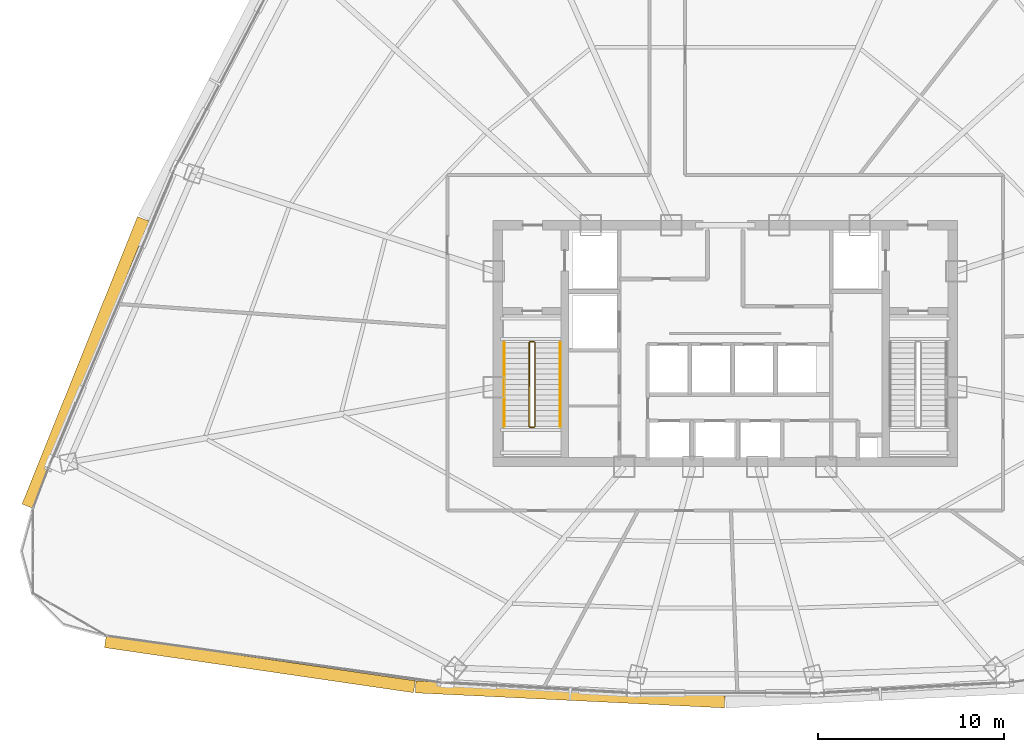
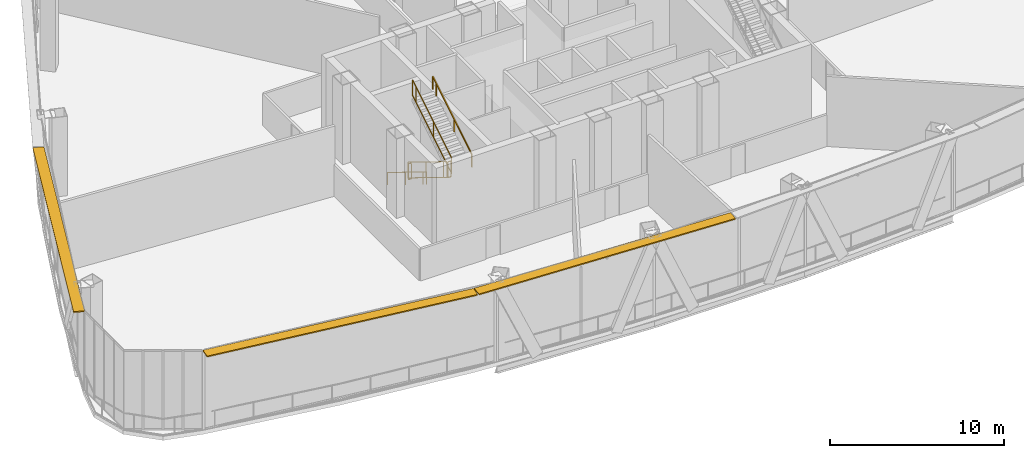
# One storey, part 33 of 38: 6 railings, 3 shading devices.
"""IFC4 building model written with IfcOpenShell, lengths in metres."""

import ifcopenshell
import ifcopenshell.guid

model = None  # the IFC model being written
_history = None  # IfcOwnerHistory: only IFC2X3 demands one
_inside = {}  # id of a spatial element -> (the spatial element, [elements in it])
_under = {}  # id of a project, library or spatial element -> (it, [spatial elements below it])
_declared = {}  # id of a project -> (the project, [libraries it declares])
_typed = {}  # id of a type object -> (the type object, [elements of that type])
_made_of = {}  # id of a material, layer set ... -> (it, [elements and type objects made of it])


def new_model(schema):
    """Start an empty IFC model of exactly this schema.

    Asked for "IFC4X3", IfcOpenShell would pick the latest addendum, in which some entities
    have other attributes; the version numbers below select the first issue.
    IFC2X3 requires an IfcOwnerHistory on every rooted entity: one is made here for all.
    """
    global model, _history
    if schema == "IFC4X3":
        model = ifcopenshell.file(schema_version=(4, 3, 0, 0))
    else:
        model = ifcopenshell.file(schema=schema)
    _inside.clear()
    _under.clear()
    _declared.clear()
    _typed.clear()
    _made_of.clear()
    _history = None
    if model.schema == "IFC2X3":
        org = make("IfcOrganization", Name="unknown")
        user = make(
            "IfcPersonAndOrganization",
            ThePerson=make("IfcPerson", FamilyName="unknown"),
            TheOrganization=org,
        )
        app = make(
            "IfcApplication",
            ApplicationDeveloper=org,
            Version="unknown",
            ApplicationFullName="unknown",
            ApplicationIdentifier="unknown",
        )
        _history = make(
            "IfcOwnerHistory",
            OwningUser=user,
            OwningApplication=app,
            ChangeAction="ADDED",
            CreationDate=0,
        )
    return model


def make(cls, **values):
    """One entity of the class cls with the attributes given. An attribute that is None is left unset."""
    return model.create_entity(
        cls, **{name: value for name, value in values.items() if value is not None}
    )


def rooted(cls, **values):
    """An entity with a GlobalId (a new one), such as an element, a storey or a relation."""
    return make(cls, GlobalId=ifcopenshell.guid.new(), OwnerHistory=_history, **values)


def si_unit(unit_type, name, prefix=None):
    """IfcSIUnit, for example si_unit("LENGTHUNIT", "METRE", prefix="MILLI")."""
    return make("IfcSIUnit", UnitType=unit_type, Prefix=prefix, Name=name)


def assignment(units):
    """IfcUnitAssignment: the units of a project."""
    return None if units is None else make("IfcUnitAssignment", Units=units)


def point(xyz):
    """IfcCartesianPoint."""
    return None if xyz is None else make("IfcCartesianPoint", Coordinates=xyz)


def direction(xyz):
    """IfcDirection."""
    return None if xyz is None else make("IfcDirection", DirectionRatios=xyz)


def frame(location, z_axis=None, x_axis=None):
    """IfcAxis2Placement3D, a coordinate frame: its origin and axes. An axis left out is left unset."""
    return make(
        "IfcAxis2Placement3D",
        Location=point(location),
        Axis=direction(z_axis),
        RefDirection=direction(x_axis),
    )


def frame_2d(location, x_axis=None):
    """IfcAxis2Placement2D, a coordinate frame in the plane: its origin and x axis."""
    return make(
        "IfcAxis2Placement2D", Location=point(location), RefDirection=direction(x_axis)
    )


def origin():
    """The frame at (0, 0, 0) with its axes left unset."""
    return frame((0.0, 0.0, 0.0))


def origin_2d():
    """The frame at (0, 0) in the plane with its x axis left unset."""
    return frame_2d((0.0, 0.0))


def place(relative_to, where):
    """IfcLocalPlacement: puts the frame where relative to a parent placement (None: the world)."""
    return make(
        "IfcLocalPlacement", PlacementRelTo=relative_to, RelativePlacement=where
    )


def context(
    kind, dimensions, precision=None, world=None, true_north=None, identifier=None
):
    """IfcGeometricRepresentationContext, for example the 3D "Model" context."""
    return make(
        "IfcGeometricRepresentationContext",
        ContextIdentifier=identifier,
        ContextType=kind,
        CoordinateSpaceDimension=dimensions,
        Precision=precision,
        WorldCoordinateSystem=world,
        TrueNorth=true_north,
    )


def subcontext(parent, identifier, kind, view, scale=None):
    """IfcGeometricRepresentationSubContext, for example "Body" below "Model"."""
    return make(
        "IfcGeometricRepresentationSubContext",
        ContextIdentifier=identifier,
        ContextType=kind,
        ParentContext=parent,
        TargetScale=scale,
        TargetView=view,
    )


def project(units=None, contexts=None):
    """IfcProject with its units and contexts."""
    return rooted(
        "IfcProject",
        Name="project",
        RepresentationContexts=contexts,
        UnitsInContext=assignment(units),
    )


def spatial(cls, under=None, at=None, **own):
    """A site, building, storey or space (cls), placed at a placement, below another one or the project."""
    s = rooted(cls, ObjectPlacement=at, **own)
    if under is not None:
        _under.setdefault(under.id(), (under, []))[1].append(s)
    return s


def profile(cls, at=None, kind="AREA", **sizes):
    """A parametric profile (cls). Its sizes go by their IFC names, for example OverallWidth=200.0."""
    return make(cls, ProfileType=kind, Position=at, **sizes)


def rectangle(**sizes):
    """IfcRectangleProfileDef."""
    return profile("IfcRectangleProfileDef", **sizes)


def extrude(swept, where, along, depth):
    """IfcExtrudedAreaSolid: the profile swept, set in the frame where, extruded along a direction by depth."""
    return make(
        "IfcExtrudedAreaSolid",
        SweptArea=swept,
        Position=where,
        ExtrudedDirection=direction(along),
        Depth=depth,
    )


def shape(context_of_items, identifier, shape_type, items):
    """IfcShapeRepresentation: the items that make up one representation, for example the "Body"."""
    return make(
        "IfcShapeRepresentation",
        ContextOfItems=context_of_items,
        RepresentationIdentifier=identifier,
        RepresentationType=shape_type,
        Items=items,
    )


def source(mapping_origin, context_of_items, identifier, shape_type, items):
    """IfcRepresentationMap: a shape defined once, which mapped items show again and again."""
    return make(
        "IfcRepresentationMap",
        MappingOrigin=mapping_origin,
        MappedRepresentation=shape(context_of_items, identifier, shape_type, items),
    )


def transform(
    local_origin,
    x_axis=None,
    y_axis=None,
    z_axis=None,
    scale=None,
    scale2=None,
    scale3=None,
    uniform=True,
):
    """IfcCartesianTransformationOperator3D, or its non-uniform kind. x_axis, y_axis, z_axis: its Axis1, 2, 3."""
    if uniform:
        return make(
            "IfcCartesianTransformationOperator3D",
            Axis1=direction(x_axis),
            Axis2=direction(y_axis),
            LocalOrigin=point(local_origin),
            Scale=scale,
            Axis3=direction(z_axis),
        )
    return make(
        "IfcCartesianTransformationOperator3DnonUniform",
        Axis1=direction(x_axis),
        Axis2=direction(y_axis),
        LocalOrigin=point(local_origin),
        Scale=scale,
        Axis3=direction(z_axis),
        Scale2=scale2,
        Scale3=scale3,
    )


def mapped(mapping_source, mapping_target):
    """IfcMappedItem: shows the shape of a source again, moved by a transform."""
    return make(
        "IfcMappedItem", MappingSource=mapping_source, MappingTarget=mapping_target
    )


def material(Name=None, Category=None):
    """IfcMaterial."""
    return make("IfcMaterial", Name=Name, Category=Category)


def layer(
    of_material, thickness, ventilated=None, Name=None, Category=None, Priority=None
):
    """IfcMaterialLayer: one layer of a wall or slab, of a material (None: an air gap)."""
    return make(
        "IfcMaterialLayer",
        Material=of_material,
        LayerThickness=thickness,
        IsVentilated=ventilated,
        Name=Name,
        Category=Category,
        Priority=Priority,
    )


def layer_set(layers, Name=None):
    """IfcMaterialLayerSet."""
    return make("IfcMaterialLayerSet", MaterialLayers=layers, LayerSetName=Name)


def made_of(thing, what):
    """Note that an element or type object is made of a material, layer set ...; save() writes the relation."""
    if what is not None:
        _made_of.setdefault(what.id(), (what, []))[1].append(thing)
    return thing


def type_object(cls, material=None, **own):
    """A type object (cls), such as IfcWallType, which elements share."""
    return made_of(rooted(cls, **own), material)


def element(
    cls,
    number,
    at=None,
    inside=None,
    cuts=None,
    type_object=None,
    material=None,
    context=None,
    identifier="Body",
    shape_type=None,
    held_by="IfcProductDefinitionShape",
    body=None,
    shapes=None,
    **own,
):
    """One element of the class cls, such as IfcWall. Its Tag is "e" and its number.

    at: its placement. inside: the storey or other place that contains it. cuts: it is an
    opening in that element (IfcRelVoidsElement). A single representation is given by context,
    identifier, shape_type and body (its items); several are given by shapes. held_by: the class
    of the entity that holds the representations. save() writes the other relations.
    """
    e = rooted(cls, Tag="e%d" % number, ObjectPlacement=at, **own)
    if body is not None:
        shapes = [shape(context, identifier, shape_type, body)]
    if shapes is not None:
        e.Representation = make(held_by, Representations=shapes)
    if inside is not None:
        _inside.setdefault(inside.id(), (inside, []))[1].append(e)
    if cuts is not None:
        rooted(
            "IfcRelVoidsElement", RelatingBuildingElement=cuts, RelatedOpeningElement=e
        )
    if type_object is not None:
        _typed.setdefault(type_object.id(), (type_object, []))[1].append(e)
    return made_of(e, material)


def aggregate(whole, parts):
    """IfcRelAggregates: a whole, such as a stair, and the parts it consists of."""
    return rooted("IfcRelAggregates", RelatingObject=whole, RelatedObjects=parts)


def save(model, path):
    """Write the relations noted so far, then the file.

    IfcRelAggregates (storeys below a building ...), IfcRelContainedInSpatialStructure (elements
    in a storey), IfcRelDefinesByType, IfcRelAssociatesMaterial and IfcRelDeclares: one each for
    every whole, place, type object, material and project.
    """
    for whole, parts in _under.values():
        aggregate(whole, parts)
    for where, things in _inside.values():
        rooted(
            "IfcRelContainedInSpatialStructure",
            RelatedElements=things,
            RelatingStructure=where,
        )
    for kind, things in _typed.values():
        rooted("IfcRelDefinesByType", RelatedObjects=things, RelatingType=kind)
    for what, things in _made_of.values():
        rooted("IfcRelAssociatesMaterial", RelatedObjects=things, RelatingMaterial=what)
    for by, libraries in _declared.values():
        rooted("IfcRelDeclares", RelatingContext=by, RelatedDefinitions=libraries)
    model.write(path)


model = new_model("IFC4")

# Units and contexts
model_context = context("Model", 3, precision=1e-05, world=origin(), true_north=direction((0.0, 1.0)))
body_context = subcontext(model_context, "Body", "Model", "MODEL_VIEW")
ifc_project = project(units=[si_unit("LENGTHUNIT", "METRE"), si_unit("AREAUNIT", "SQUARE_METRE"), si_unit("VOLUMEUNIT", "CUBIC_METRE"), si_unit("PLANEANGLEUNIT", "RADIAN"), si_unit("MASSUNIT", "GRAM", prefix="KILO"), si_unit("THERMODYNAMICTEMPERATUREUNIT", "KELVIN"), si_unit("POWERUNIT", "WATT")], contexts=[model_context])

# Site, building, storey
site_placement = place(None, origin())
site = spatial("IfcSite", under=ifc_project, at=site_placement, CompositionType="ELEMENT")
building_placement = place(site_placement, origin())
building = spatial("IfcBuilding", under=site, at=building_placement, Name="Yunzhuo Pagoda Commons", CompositionType="ELEMENT")
storey_placement = place(building_placement, frame((0.0, 0.0, 218.9599609375)))
storey = spatial("IfcBuildingStorey", under=building, at=storey_placement, Name="L55", CompositionType="ELEMENT", Elevation=218.9599609375)

# Railings
ifc_material = material(Name="Anodized aluminium 6063-T6", Category="aluminium")
railing_type_1 = type_object("IfcRailingType", Name="GR-ST1 Stair Well Guardrail 1150", PredefinedType="GUARDRAIL", material=ifc_material)
railing_1_placement = place(storey_placement, frame((37.5, 33.89990234375, 0.172119140625)))
element("IfcRailing", 1, at=railing_1_placement, inside=storey, type_object=railing_type_1, Name="L55 ST1 stair guard 1", PredefinedType="GUARDRAIL", context=body_context, shape_type="SweptSolid", body=[
    extrude(rectangle(XDim=0.048095703125, YDim=0.048095703125, at=origin_2d()), frame((0.0, 0.0, 1.1259765625), z_axis=(0.0, -0.851996104429, 0.523548123899), x_axis=(1.0, 0.0, 0.0)), (0.0, 0.0, 1.0), 5.25830078125),
    extrude(rectangle(XDim=0.048095703125, YDim=0.048095703125, at=origin_2d()), frame((0.0, 0.0, 0.02392578125), z_axis=(0.0, -0.851996104429, 0.523548123899), x_axis=(1.0, 0.0, 0.0)), (0.0, 0.0, 1.0), 5.25830078125),
    extrude(rectangle(XDim=0.0419921875, YDim=0.0419921875, at=origin_2d()), origin(), (0.0, 0.0, 1.0), 1.101806640625),
    extrude(rectangle(XDim=0.0419921875, YDim=0.0419921875, at=origin_2d()), frame((0.0, -2.044677734375, 1.256591796875)), (0.0, 0.0, 1.0), 1.101806640625),
    extrude(rectangle(XDim=0.0419921875, YDim=0.0419921875, at=origin_2d()), frame((0.0, -4.089599609375, 2.512939453125)), (0.0, 0.0, 1.0), 1.101806640625),
    extrude(rectangle(XDim=0.0419921875, YDim=0.0419921875, at=origin_2d()), frame((0.0, -4.47998046875, 2.7529296875)), (0.0, 0.0, 1.0), 1.101806640625),
])
railing_2_placement = place(storey_placement, frame((37.550048828125, 29.3701171875, 2.925048828125)))
element("IfcRailing", 2, at=railing_2_placement, inside=storey, type_object=railing_type_1, Name="L55 ST1 stair guard 2", PredefinedType="GUARDRAIL", context=body_context, shape_type="SweptSolid", body=[
    extrude(rectangle(XDim=0.048095703125, YDim=0.048095703125, at=origin_2d()), frame((0.0, 0.0, 1.1259765625), z_axis=(1.0, 0.0, 0.0), x_axis=(0.0, 1.0, 0.0)), (0.0, 0.0, 1.0), 0.199951171875),
    extrude(rectangle(XDim=0.048095703125, YDim=0.048095703125, at=origin_2d()), frame((0.0, 0.0, 0.02392578125), z_axis=(1.0, 0.0, 0.0), x_axis=(0.0, 1.0, 0.0)), (0.0, 0.0, 1.0), 0.199951171875),
    extrude(rectangle(XDim=0.0419921875, YDim=0.0419921875, at=origin_2d()), origin(), (0.0, 0.0, 1.0), 1.101806640625),
    extrude(rectangle(XDim=0.0419921875, YDim=0.0419921875, at=origin_2d()), frame((0.199951171875, 0.0, 0.0)), (0.0, 0.0, 1.0), 1.101806640625),
])
railing_3_placement = place(storey_placement, frame((37.800048828125, 29.419921875, 3.09716796875)))
element("IfcRailing", 3, at=railing_3_placement, inside=storey, type_object=railing_type_1, Name="L55 ST1 stair guard 3", PredefinedType="GUARDRAIL", context=body_context, shape_type="SweptSolid", body=[
    extrude(rectangle(XDim=0.048095703125, YDim=0.048095703125, at=origin_2d()), frame((0.0, 0.0, 1.1259765625), z_axis=(0.0, 0.851996104429, 0.523548123899), x_axis=(-1.0, 0.0, 0.0)), (0.0, 0.0, 1.0), 5.25830078125),
    extrude(rectangle(XDim=0.048095703125, YDim=0.048095703125, at=origin_2d()), frame((0.0, 0.0, 0.02392578125), z_axis=(0.0, 0.851996104429, 0.523548123899), x_axis=(-1.0, 0.0, 0.0)), (0.0, 0.0, 1.0), 5.25830078125),
    extrude(rectangle(XDim=0.0419921875, YDim=0.0419921875, at=origin_2d()), origin(), (0.0, 0.0, 1.0), 1.101806640625),
    extrude(rectangle(XDim=0.0419921875, YDim=0.0419921875, at=origin_2d()), frame((0.0, 2.044677734375, 1.256591796875)), (0.0, 0.0, 1.0), 1.101806640625),
    extrude(rectangle(XDim=0.0419921875, YDim=0.0419921875, at=origin_2d()), frame((0.0, 4.089599609375, 2.512939453125)), (0.0, 0.0, 1.0), 1.101806640625),
    extrude(rectangle(XDim=0.0419921875, YDim=0.0419921875, at=origin_2d()), frame((0.0, 4.47998046875, 2.7529296875)), (0.0, 0.0, 1.0), 1.101806640625),
])
railing_4_placement = place(storey_placement, frame((37.550048828125, 33.949951171875, 0.0)))
element("IfcRailing", 4, at=railing_4_placement, inside=storey, type_object=railing_type_1, Name="L55 ST1 stair guard 4", PredefinedType="GUARDRAIL", context=body_context, shape_type="SweptSolid", body=[
    extrude(rectangle(XDim=0.048095703125, YDim=0.048095703125, at=origin_2d()), frame((0.0, 0.0, 1.1259765625), z_axis=(1.0, 0.0, 0.0), x_axis=(0.0, 1.0, 0.0)), (0.0, 0.0, 1.0), 0.199951171875),
    extrude(rectangle(XDim=0.048095703125, YDim=0.048095703125, at=origin_2d()), frame((0.0, 0.0, 0.02392578125), z_axis=(1.0, 0.0, 0.0), x_axis=(0.0, 1.0, 0.0)), (0.0, 0.0, 1.0), 0.199951171875),
    extrude(rectangle(XDim=0.0419921875, YDim=0.0419921875, at=origin_2d()), origin(), (0.0, 0.0, 1.0), 1.101806640625),
    extrude(rectangle(XDim=0.0419921875, YDim=0.0419921875, at=origin_2d()), frame((0.199951171875, 0.0, 0.0)), (0.0, 0.0, 1.0), 1.101806640625),
])
railing_type_2 = type_object("IfcRailingType", Name="HR-ST1 Stair Handrail 900", PredefinedType="HANDRAIL", material=ifc_material)
railing_5_placement = place(storey_placement, frame((36.14990234375, 33.89990234375, 0.172119140625)))
element("IfcRailing", 5, at=railing_5_placement, inside=storey, type_object=railing_type_2, Name="L55 ST1 stair handrail 1", PredefinedType="HANDRAIL", context=body_context, shape_type="SweptSolid", body=[
    extrude(rectangle(XDim=0.048095703125, YDim=0.048095703125, at=origin_2d()), frame((0.0, 0.0, 0.8759765625), z_axis=(0.0, -0.851996104429, 0.523548123899), x_axis=(1.0, 0.0, 0.0)), (0.0, 0.0, 1.0), 5.25830078125),
    extrude(rectangle(XDim=0.0419921875, YDim=0.0419921875, at=origin_2d()), origin(), (0.0, 0.0, 1.0), 0.851806640625),
    extrude(rectangle(XDim=0.0419921875, YDim=0.0419921875, at=origin_2d()), frame((0.0, -2.044677734375, 1.256591796875)), (0.0, 0.0, 1.0), 0.851806640625),
    extrude(rectangle(XDim=0.0419921875, YDim=0.0419921875, at=origin_2d()), frame((0.0, -4.089599609375, 2.512939453125)), (0.0, 0.0, 1.0), 0.851806640625),
    extrude(rectangle(XDim=0.0419921875, YDim=0.0419921875, at=origin_2d()), frame((0.0, -4.47998046875, 2.7529296875)), (0.0, 0.0, 1.0), 0.851806640625),
])
railing_6_placement = place(storey_placement, frame((39.14990234375, 29.419921875, 3.09716796875)))
element("IfcRailing", 6, at=railing_6_placement, inside=storey, type_object=railing_type_2, Name="L55 ST1 stair handrail 2", PredefinedType="HANDRAIL", context=body_context, shape_type="SweptSolid", body=[
    extrude(rectangle(XDim=0.048095703125, YDim=0.048095703125, at=origin_2d()), frame((0.0, 0.0, 0.8759765625), z_axis=(0.0, 0.851996104429, 0.523548123899), x_axis=(-1.0, 0.0, 0.0)), (0.0, 0.0, 1.0), 5.25830078125),
    extrude(rectangle(XDim=0.0419921875, YDim=0.0419921875, at=origin_2d()), origin(), (0.0, 0.0, 1.0), 0.851806640625),
    extrude(rectangle(XDim=0.0419921875, YDim=0.0419921875, at=origin_2d()), frame((0.0, 2.044677734375, 1.256591796875)), (0.0, 0.0, 1.0), 0.851806640625),
    extrude(rectangle(XDim=0.0419921875, YDim=0.0419921875, at=origin_2d()), frame((0.0, 4.089599609375, 2.512939453125)), (0.0, 0.0, 1.0), 0.851806640625),
    extrude(rectangle(XDim=0.0419921875, YDim=0.0419921875, at=origin_2d()), frame((0.0, 4.47998046875, 2.7529296875)), (0.0, 0.0, 1.0), 0.851806640625),
])

# Shading devices
ifc_layer = layer(ifc_material, 0.080078125)
ifc_layer_set = layer_set([ifc_layer], Name="Anodized aluminium 6063-T6")
shading_device_type = type_object("IfcShadingDeviceType", Name="SH-SUN1 Pagoda Horizontal Sunshade Eave 650", PredefinedType="USERDEFINED", material=ifc_layer_set)
shared_shape_1 = source(origin(), body_context, "Body", "SweptSolid", [
    extrude(rectangle(XDim=16.74658203125, YDim=0.64990234375, at=origin_2d()), origin(), (0.0, 0.0, 1.0), 0.080078125),
])
shading_device_1_placement = place(storey_placement, frame((23.0498046875, 16.662841796875, 5.489990234375), z_axis=(0.0, 0.0, 1.0), x_axis=(0.989510666697, -0.144459823108, 0.0)))
element("IfcShadingDevice", 7, at=shading_device_1_placement, inside=storey, type_object=shading_device_type, Name="L55 horizontal pagoda sunshade eave F1.1", ObjectType="SUNSHADE", PredefinedType="USERDEFINED", context=body_context, shape_type="MappedRepresentation", body=[
    mapped(shared_shape_1, transform((0.0, 0.0, 0.0), scale=1.0)),
])
shared_shape_2 = source(origin(), body_context, "Body", "SweptSolid", [
    extrude(rectangle(XDim=16.590087890625, YDim=0.64990234375, at=origin_2d()), origin(), (0.0, 0.0, 1.0), 0.080078125),
])
shading_device_2_placement = place(storey_placement, frame((39.68310546875, 15.0439453125, 5.489990234375), z_axis=(0.0, 0.0, 1.0), x_axis=(0.998818043775, -0.04860571396, 0.0)))
element("IfcShadingDevice", 8, at=shading_device_2_placement, inside=storey, type_object=shading_device_type, Name="L55 horizontal pagoda sunshade eave F1.2", ObjectType="SUNSHADE", PredefinedType="USERDEFINED", context=body_context, shape_type="MappedRepresentation", body=[
    mapped(shared_shape_2, transform((0.0, 0.0, 0.0), scale=1.0)),
])
shared_shape_3 = source(origin(), body_context, "Body", "SweptSolid", [
    extrude(rectangle(XDim=16.61181640625, YDim=0.64990234375, at=origin_2d()), origin(), (0.0, 0.0, 1.0), 0.080078125),
])
shading_device_3_placement = place(storey_placement, frame((13.694091796875, 32.837890625, 5.489990234375), z_axis=(0.0, 0.0, 1.0), x_axis=(-0.372987782576, -0.927836253899, 0.0)))
element("IfcShadingDevice", 9, at=shading_device_3_placement, inside=storey, type_object=shading_device_type, Name="L55 horizontal pagoda sunshade eave F3.4", ObjectType="SUNSHADE", PredefinedType="USERDEFINED", context=body_context, shape_type="MappedRepresentation", body=[
    mapped(shared_shape_3, transform((0.0, 0.0, 0.0), scale=1.0)),
])

save(model, "model.ifc")
